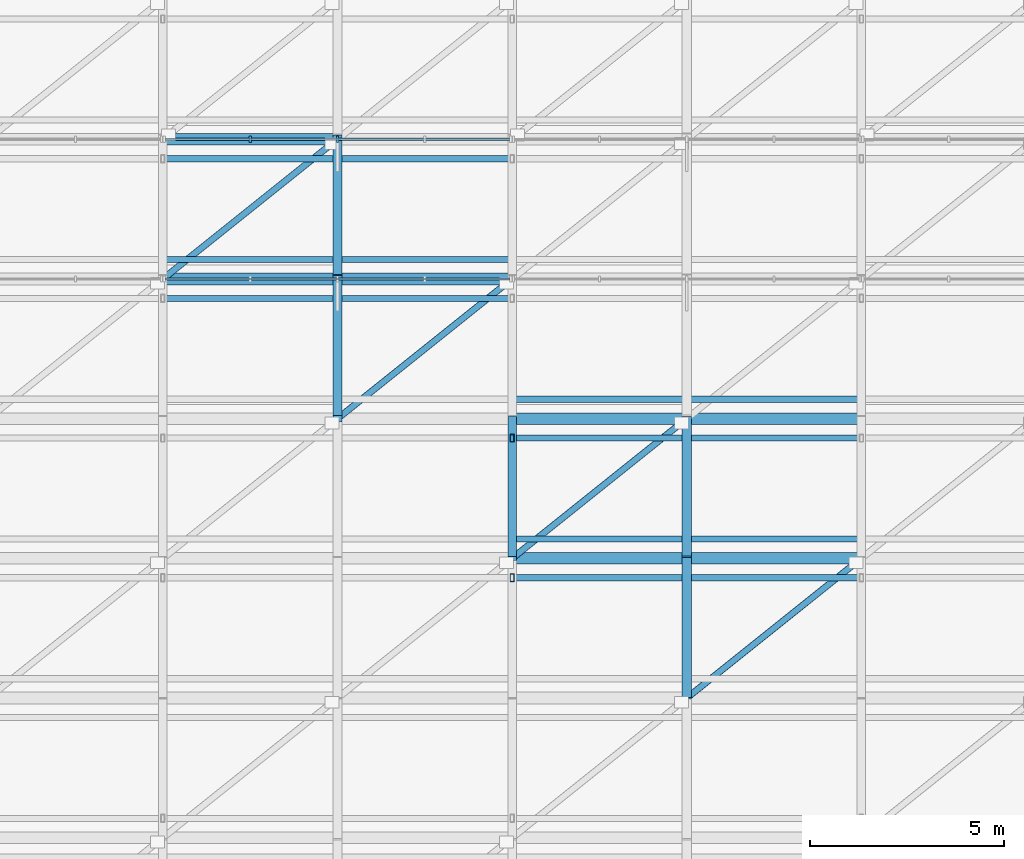
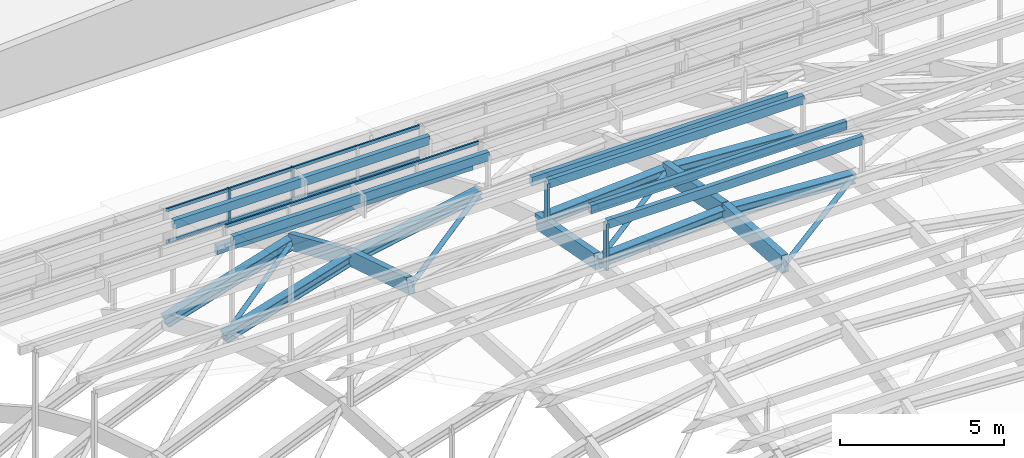
# One storey, part 29 of 69: 19 members, 12 beams, 2 elements without a shape of their own.
"""IFC4 building model written with IfcOpenShell, lengths in metres."""

from ifc_helpers import new_model, si_unit, direction, frame, origin, origin_2d, place, context, subcontext, project, spatial, rectangle, hollow_rectangle, hollow_circle, i_section, extrude, material, layer, layer_set, material_profile, profile_set, type_object, element, aggregate, save


model = new_model("IFC4")

# Units and contexts
model_context = context("Model", 3, precision=1e-05, world=origin(), true_north=direction((0.0, 1.0)))
body_context = subcontext(model_context, "Body", "Model", "MODEL_VIEW")
ifc_project = project(units=[si_unit("LENGTHUNIT", "METRE"), si_unit("AREAUNIT", "SQUARE_METRE"), si_unit("VOLUMEUNIT", "CUBIC_METRE"), si_unit("PLANEANGLEUNIT", "RADIAN"), si_unit("MASSUNIT", "GRAM", prefix="KILO")], contexts=[model_context])

# Site, building, storey
site_placement = place(None, origin())
site = spatial("IfcSite", under=ifc_project, at=site_placement, CompositionType="ELEMENT")
building_placement = place(site_placement, origin())
building = spatial("IfcBuilding", under=site, at=building_placement, Name="Montealbar Specialist Clinic", CompositionType="ELEMENT")
storey_placement = place(building_placement, frame((0.0, 0.0, 9.60009765625)))
storey = spatial("IfcBuildingStorey", under=building, at=storey_placement, Name="L02", CompositionType="ELEMENT", Elevation=9.60009765625)

# Beams
ifc_material_1 = material(Name="Steel S355", Category="steel")
ifc_material_profile_1 = material_profile(ifc_material_1, i_section(OverallWidth=0.300048828125, OverallDepth=0.360107421875, WebThickness=0.012451171875, FlangeThickness=0.0224609375, FilletRadius=0.027099609375, at=origin_2d()), Name="HEB 360", Category="steel")
ifc_profile_set_1 = profile_set([ifc_material_profile_1], Name="Steel S355")
beam_type_1 = type_object("IfcBeamType", Name="BM-GIRD-HEB360-EXT", PredefinedType="BEAM", material=ifc_profile_set_1)
for number, where, z_axis, x_axis, name in (
    (1, (72.0, 66.60009765625, 10.67578125), (0.998109468696, 0.0, 0.06146127642), (0.0, 1.0, 0.0), "Gridshell Roof Truss Arch Rib X 6-4"),
    (2, (76.5, 66.60009765625, 10.952880859375), (0.998109468696, 0.0, -0.06146127642), (0.0, 1.0, 0.0), "Gridshell Roof Truss Arch Rib X 6-5"),
    (3, (72.0, 70.199951171875, 9.995849609375), (0.998109468696, 0.0, 0.06146127642), (0.0, 1.0, 0.0), "Gridshell Roof Truss Arch Rib X 7-4"),
    (4, (76.5, 70.199951171875, 10.27294921875), (0.998109468696, 0.0, -0.06146127642), (0.0, 1.0, 0.0), "Gridshell Roof Truss Arch Rib X 7-5"),
):
    element("IfcBeam", number, at=place(storey_placement, frame(where, z_axis=z_axis, x_axis=x_axis)), inside=storey, type_object=beam_type_1, Name=name, PredefinedType="BEAM", context=body_context, shape_type="SweptSolid", body=[
        extrude(i_section(OverallWidth=0.300048828125, OverallDepth=0.360107421875, WebThickness=0.012451171875, FlangeThickness=0.0224609375, FilletRadius=0.027099609375, at=origin_2d()), origin(), (0.0, 0.0, 1.0), 4.508544921875),
    ])
beam_1_placement = place(storey_placement, frame((63.0, 73.800048828125, 6.643798828125), z_axis=(0.955697132972, 0.0, 0.294351813362), x_axis=(0.0, 1.0, 0.0)))
element("IfcBeam", 5, at=beam_1_placement, inside=storey, type_object=beam_type_1, Name="Gridshell Roof Truss Arch Rib X 8-2", PredefinedType="BEAM", context=body_context, shape_type="SweptSolid", body=[
    extrude(i_section(OverallWidth=0.300048828125, OverallDepth=0.360107421875, WebThickness=0.012451171875, FlangeThickness=0.0224609375, FilletRadius=0.027099609375, at=origin_2d()), origin(), (0.0, 0.0, 1.0), 4.70849609375),
])
beam_2_placement = place(storey_placement, frame((67.5, 73.800048828125, 8.02978515625), z_axis=(0.983332910059, 0.0, 0.181814157849), x_axis=(0.0, 1.0, 0.0)))
element("IfcBeam", 6, at=beam_2_placement, inside=storey, type_object=beam_type_1, Name="Gridshell Roof Truss Arch Rib X 8-3", PredefinedType="BEAM", context=body_context, shape_type="SweptSolid", body=[
    extrude(i_section(OverallWidth=0.300048828125, OverallDepth=0.360107421875, WebThickness=0.012451171875, FlangeThickness=0.0224609375, FilletRadius=0.027099609375, at=origin_2d()), origin(), (0.0, 0.0, 1.0), 4.576171875),
])
ifc_material_profile_2 = material_profile(ifc_material_1, i_section(OverallWidth=0.300048828125, OverallDepth=0.39990234375, WebThickness=0.013427734375, FlangeThickness=0.02392578125, FilletRadius=0.027099609375, at=origin_2d()), Name="HEB 400", Category="steel")
ifc_profile_set_2 = profile_set([ifc_material_profile_2], Name="Steel S355")
beam_type_2 = type_object("IfcBeamType", Name="BM-GIRD-HEB400-EXT", PredefinedType="BEAM", material=ifc_profile_set_2)
beam_3_placement = place(storey_placement, frame((63.0, 77.39990234375, 5.055908203125), z_axis=(0.955697132972, 0.0, 0.294351813362), x_axis=(0.0, 1.0, 0.0)))
element("IfcBeam", 7, at=beam_3_placement, inside=storey, type_object=beam_type_2, Name="Gridshell Roof Truss Arch Rib X 9-2", PredefinedType="BEAM", context=body_context, shape_type="SweptSolid", body=[
    extrude(i_section(OverallWidth=0.300048828125, OverallDepth=0.39990234375, WebThickness=0.013427734375, FlangeThickness=0.02392578125, FilletRadius=0.027099609375, at=origin_2d()), origin(), (0.0, 0.0, 1.0), 4.70849609375),
])
ifc_material_2 = material(Name="Glulam GL28h", Category="wood")
ifc_material_profile_3 = material_profile(ifc_material_2, rectangle(XDim=0.219970703125, YDim=0.56005859375, at=origin_2d()), Name="GL28h 220x560", Category="wood")
ifc_profile_set_3 = profile_set([ifc_material_profile_3], Name="Glulam GL28h")
beam_type_3 = type_object("IfcBeamType", Name="BM-GL-220x560-EXT", PredefinedType="BEAM", material=ifc_profile_set_3)
beam_4_placement = place(storey_placement, frame((67.5, 70.199951171875, 9.163818359375), z_axis=(0.0, 0.953798460342, -0.300447161826), x_axis=(-1.0, 0.0, 0.0)))
element("IfcBeam", 8, at=beam_4_placement, inside=storey, type_object=beam_type_3, Name="Gridshell Glulam Roof Truss Rib Y 3-7", PredefinedType="BEAM", context=body_context, shape_type="SweptSolid", body=[
    extrude(rectangle(XDim=0.219970703125, YDim=0.56005859375, at=origin_2d()), origin(), (0.0, 0.0, 1.0), 3.7744140625),
])
beam_5_placement = place(storey_placement, frame((67.5, 73.800048828125, 8.02978515625), z_axis=(0.0, 0.914944084874, -0.403580625841), x_axis=(-1.0, 0.0, 0.0)))
element("IfcBeam", 9, at=beam_5_placement, inside=storey, type_object=beam_type_3, Name="Gridshell Glulam Roof Truss Rib Y 3-8", PredefinedType="BEAM", context=body_context, shape_type="SweptSolid", body=[
    extrude(rectangle(XDim=0.219970703125, YDim=0.56005859375, at=origin_2d()), origin(), (0.0, 0.0, 1.0), 3.9345703125),
])
beam_6_placement = place(storey_placement, frame((72.0, 66.60009765625, 10.67578125), z_axis=(0.0, 0.982626127294, -0.185596050493), x_axis=(-1.0, 0.0, 0.0)))
element("IfcBeam", 10, at=beam_6_placement, inside=storey, type_object=beam_type_3, Name="Gridshell Glulam Roof Truss Rib Y 4-6", PredefinedType="BEAM", context=body_context, shape_type="SweptSolid", body=[
    extrude(rectangle(XDim=0.219970703125, YDim=0.56005859375, at=origin_2d()), origin(), (0.0, 0.0, 1.0), 3.66357421875),
])
ifc_material_profile_4 = material_profile(ifc_material_2, rectangle(XDim=0.239990234375, YDim=0.639892578125, at=origin_2d()), Name="GL28h 240x640", Category="wood")
ifc_profile_set_4 = profile_set([ifc_material_profile_4], Name="Glulam GL28h")
beam_type_4 = type_object("IfcBeamType", Name="BM-GL-240x640-EXT", PredefinedType="BEAM", material=ifc_profile_set_4)
beam_7_placement = place(storey_placement, frame((76.5, 63.0, 11.179931640625), z_axis=(0.0, 0.998017130092, -0.062942895089), x_axis=(-1.0, 0.0, 0.0)))
element("IfcBeam", 11, at=beam_7_placement, inside=storey, type_object=beam_type_4, Name="Gridshell Glulam Roof Truss Rib Y 5-5", PredefinedType="BEAM", context=body_context, shape_type="SweptSolid", body=[
    extrude(rectangle(XDim=0.239990234375, YDim=0.639892578125, at=origin_2d()), origin(), (0.0, 0.0, 1.0), 3.607177734375),
])
beam_8_placement = place(storey_placement, frame((76.5, 66.60009765625, 10.952880859375), z_axis=(0.0, 0.982626127294, -0.185596050493), x_axis=(-1.0, 0.0, 0.0)))
element("IfcBeam", 12, at=beam_8_placement, inside=storey, type_object=beam_type_4, Name="Gridshell Glulam Roof Truss Rib Y 5-6", PredefinedType="BEAM", context=body_context, shape_type="SweptSolid", body=[
    extrude(rectangle(XDim=0.239990234375, YDim=0.639892578125, at=origin_2d()), origin(), (0.0, 0.0, 1.0), 3.66357421875),
])

# Curtain wall, members
ifc_material_3 = material(Name="Low-E double glazing", Category="glass")
ifc_layer_1 = layer(ifc_material_3, 0.199951171875, Name="Low-E double glazing", Category="glass")
ifc_layer_set_1 = layer_set([ifc_layer_1], Name="Low-E double glazing")
curtain_wall_type_1 = type_object("IfcCurtainWallType", Name="CW-TYPE-47", PredefinedType="NOTDEFINED", material=ifc_layer_set_1)
curtain_wall_1_placement = place(storey_placement, origin())
curtain_wall_1 = element("IfcCurtainWall", 13, at=curtain_wall_1_placement, inside=storey, type_object=curtain_wall_type_1, Name="Unitised Curtain Wall CW-L02-630-774-720-774-175", PredefinedType="NOTDEFINED")
ifc_material_4 = material(Name="Anodised aluminium EN AW-6063", Category="aluminium")
ifc_material_profile_5 = material_profile(ifc_material_4, rectangle(XDim=0.06005859375, YDim=0.159912109375, at=origin_2d()), Name="ALU 60x160", Category="aluminium")
ifc_profile_set_5 = profile_set([ifc_material_profile_5], Name="Anodised aluminium EN AW-6063")
member_type_1 = type_object("IfcMemberType", Name="CW-MUL-160", PredefinedType="MULLION", material=ifc_profile_set_5)
member_1_placement = place(storey_placement, frame((65.25, 77.39990234375, 7.933837890625), z_axis=(0.0, 0.0, 1.0), x_axis=(1.0, 0.0, 0.0)))
member_1 = element("IfcMember", 14, at=member_1_placement, type_object=member_type_1, Name="Curtain Wall Mullion CW-L02-630-774-720-774-175-01", PredefinedType="MULLION", context=body_context, shape_type="SweptSolid", body=[
    extrude(rectangle(XDim=0.06005859375, YDim=0.159912109375, at=origin_2d()), origin(), (0.0, 0.0, 1.0), 1.257080078125),
])
member_2_placement = place(storey_placement, frame((67.5, 77.39990234375, 7.933837890625), z_axis=(0.0, 0.0, 1.0), x_axis=(1.0, 0.0, 0.0)))
member_2 = element("IfcMember", 15, at=member_2_placement, type_object=member_type_1, Name="Curtain Wall Mullion CW-L02-630-774-720-774-175-02", PredefinedType="MULLION", context=body_context, shape_type="SweptSolid", body=[
    extrude(rectangle(XDim=0.06005859375, YDim=0.159912109375, at=origin_2d()), origin(), (0.0, 0.0, 1.0), 1.257080078125),
])

ifc_layer_2 = layer(ifc_material_3, 0.199951171875, Name="Low-E double glazing", Category="glass")
ifc_layer_set_2 = layer_set([ifc_layer_2], Name="Low-E double glazing")
curtain_wall_type_2 = type_object("IfcCurtainWallType", Name="CW-TYPE-48", PredefinedType="NOTDEFINED", material=ifc_layer_set_2)
curtain_wall_2_placement = place(storey_placement, origin())
curtain_wall_2 = element("IfcCurtainWall", 16, at=curtain_wall_2_placement, inside=storey, type_object=curtain_wall_type_2, Name="Unitised Curtain Wall CW-L02-630-738-720-738-196", PredefinedType="NOTDEFINED")
ifc_material_5 = material(Name="Powder-coated aluminium", Category="aluminium")
ifc_material_profile_6 = material_profile(ifc_material_5, rectangle(XDim=0.06005859375, YDim=0.1201171875, at=origin_2d()), Name="ALU 60x120", Category="aluminium")
ifc_profile_set_6 = profile_set([ifc_material_profile_6], Name="Powder-coated aluminium")
member_type_2 = type_object("IfcMemberType", Name="CW-TRN-120", PredefinedType="USERDEFINED", material=ifc_profile_set_6)
member_3_placement = place(storey_placement, frame((63.050048828125, 73.800048828125, 10.014892578125), z_axis=(1.0, 0.0, 0.0), x_axis=(0.0, 1.0, 0.0)))
member_3 = element("IfcMember", 17, at=member_3_placement, type_object=member_type_2, Name="Curtain Wall Transom CW-L02-630-738-720-738-196-00", ObjectType="TRANSOM", PredefinedType="USERDEFINED", context=body_context, shape_type="SweptSolid", body=[
    extrude(rectangle(XDim=0.06005859375, YDim=0.1201171875, at=origin_2d()), origin(), (0.0, 0.0, 1.0), 8.89990234375),
])
member_4_placement = place(storey_placement, frame((63.050048828125, 73.800048828125, 10.739013671875), z_axis=(1.0, 0.0, 0.0), x_axis=(0.0, 1.0, 0.0)))
member_4 = element("IfcMember", 18, at=member_4_placement, type_object=member_type_2, Name="Curtain Wall Transom CW-L02-630-738-720-738-196-01", ObjectType="TRANSOM", PredefinedType="USERDEFINED", context=body_context, shape_type="SweptSolid", body=[
    extrude(rectangle(XDim=0.06005859375, YDim=0.1201171875, at=origin_2d()), origin(), (0.0, 0.0, 1.0), 8.89990234375),
])
aggregate(curtain_wall_2, [member_3, member_4])

# Member
member_5_placement = place(storey_placement, frame((63.050048828125, 77.39990234375, 7.973876953125), z_axis=(1.0, 0.0, 0.0), x_axis=(0.0, 1.0, 0.0)))
member_5 = element("IfcMember", 19, at=member_5_placement, type_object=member_type_2, Name="Curtain Wall Transom CW-L02-630-774-720-774-175-00", ObjectType="TRANSOM", PredefinedType="USERDEFINED", context=body_context, shape_type="SweptSolid", body=[
    extrude(rectangle(XDim=0.06005859375, YDim=0.1201171875, at=origin_2d()), origin(), (0.0, 0.0, 1.0), 8.89990234375),
])

member_6_placement = place(storey_placement, frame((63.050048828125, 77.39990234375, 9.15087890625), z_axis=(1.0, 0.0, 0.0), x_axis=(0.0, 1.0, 0.0)))
member_6 = element("IfcMember", 20, at=member_6_placement, type_object=member_type_2, Name="Curtain Wall Transom CW-L02-630-774-720-774-175-01", ObjectType="TRANSOM", PredefinedType="USERDEFINED", context=body_context, shape_type="SweptSolid", body=[
    extrude(rectangle(XDim=0.06005859375, YDim=0.1201171875, at=origin_2d()), origin(), (0.0, 0.0, 1.0), 8.89990234375),
])

aggregate(curtain_wall_1, [member_1, member_2, member_5, member_6])

# Members
ifc_material_profile_7 = material_profile(ifc_material_1, hollow_circle(Radius=0.084228515625, WallThickness=0.008056640625, at=origin_2d()), Name="CHS 168.3x8.0", Category="steel")
ifc_profile_set_7 = profile_set([ifc_material_profile_7], Name="Steel S355")
member_type_3 = type_object("IfcMemberType", Name="MB-GS-DIAG-EXT", PredefinedType="BRACE", material=ifc_profile_set_7)
member_7_placement = place(storey_placement, frame((63.0, 73.800048828125, 6.643798828125), z_axis=(0.780402367869, 0.624296490572, -0.035014798081), x_axis=(-0.624679547852, 0.780881208953, 0.0)))
element("IfcMember", 21, at=member_7_placement, inside=storey, type_object=member_type_3, Name="Gridshell Roof Brace 2-8", PredefinedType="BRACE", context=body_context, shape_type="SweptSolid", body=[
    extrude(hollow_circle(Radius=0.084228515625, WallThickness=0.008056640625, at=origin_2d()), origin(), (0.0, 0.0, 1.0), 5.766357421875),
])
member_8_placement = place(storey_placement, frame((67.5, 70.199951171875, 9.163818359375), z_axis=(0.779790524061, 0.623849341786, -0.052332946954), x_axis=(-0.624705380279, 0.780860543151, 0.0)))
element("IfcMember", 22, at=member_8_placement, inside=storey, type_object=member_type_3, Name="Gridshell Roof Brace 3-7", PredefinedType="BRACE", context=body_context, shape_type="SweptSolid", body=[
    extrude(hollow_circle(Radius=0.084228515625, WallThickness=0.008056640625, at=origin_2d()), origin(), (0.0, 0.0, 1.0), 5.770751953125),
])
member_9_placement = place(storey_placement, frame((72.0, 66.60009765625, 10.67578125), z_axis=(0.778980306537, 0.623158887798, -0.069732937597), x_axis=(-0.624679547852, 0.780881208953, 0.0)))
element("IfcMember", 23, at=member_9_placement, inside=storey, type_object=member_type_3, Name="Gridshell Roof Brace 4-6", PredefinedType="BRACE", context=body_context, shape_type="SweptSolid", body=[
    extrude(hollow_circle(Radius=0.084228515625, WallThickness=0.008056640625, at=origin_2d()), origin(), (0.0, 0.0, 1.0), 5.77685546875),
])
member_10_placement = place(storey_placement, frame((76.5, 63.0, 11.179931640625), z_axis=(0.777889550836, 0.622328521953, -0.087149626871), x_axis=(-0.624705380279, 0.780860543151, 0.0)))
element("IfcMember", 24, at=member_10_placement, inside=storey, type_object=member_type_3, Name="Gridshell Roof Brace 5-5", PredefinedType="BRACE", context=body_context, shape_type="SweptSolid", body=[
    extrude(hollow_circle(Radius=0.084228515625, WallThickness=0.008056640625, at=origin_2d()), origin(), (0.0, 0.0, 1.0), 5.784912109375),
])
ifc_material_profile_8 = material_profile(ifc_material_2, rectangle(XDim=0.159912109375, YDim=0.320068359375, at=origin_2d()), Name="GL28h 160x320", Category="wood")
ifc_profile_set_8 = profile_set([ifc_material_profile_8], Name="Glulam GL28h")
member_type_4 = type_object("IfcMemberType", Name="MB-GS-PURLIN-GL-EXT", PredefinedType="PURLIN", material=ifc_profile_set_8)
for number, where, z_axis, x_axis, name in (
    (25, (72.0, 66.10009765625, 12.367919921875), (1.0, 0.0, 0.0), (0.0, 1.0, 0.0), "Gridshell Glulam Purlin 6-3-2"),
    (26, (72.0, 67.10009765625, 12.31201171875), (1.0, 0.0, 0.0), (0.0, 1.0, 0.0), "Gridshell Glulam Purlin 7-3-1"),
    (27, (72.0, 69.699951171875, 11.68798828125), (1.0, 0.0, 0.0), (0.0, 1.0, 0.0), "Gridshell Glulam Purlin 7-3-2"),
    (28, (63.0, 73.300048828125, 10.553955078125), (1.0, 0.0, 0.0), (0.0, 1.0, 0.0), "Gridshell Glulam Purlin 8-2-2"),
    (29, (72.0, 70.699951171875, 11.177978515625), (1.0, 0.0, 0.0), (0.0, 1.0, 0.0), "Gridshell Glulam Purlin 8-3-1"),
    (30, (63.0, 74.300048828125, 9.58984375), (1.0, 0.0, 0.0), (0.0, 1.0, 0.0), "Gridshell Glulam Purlin 9-2-1"),
    (31, (63.0, 76.89990234375, 8.9658203125), (1.0, 0.0, 0.0), (0.0, 1.0, 0.0), "Gridshell Glulam Purlin 9-2-2"),
):
    element("IfcMember", number, at=place(storey_placement, frame(where, z_axis=z_axis, x_axis=x_axis)), inside=storey, type_object=member_type_4, Name=name, PredefinedType="PURLIN", context=body_context, shape_type="SweptSolid", body=[
        extrude(rectangle(XDim=0.159912109375, YDim=0.320068359375, at=origin_2d()), origin(), (0.0, 0.0, 1.0), 9.0),
    ])
ifc_material_profile_9 = material_profile(ifc_material_1, hollow_rectangle(XDim=0.10009765625, YDim=0.199951171875, WallThickness=0.008056640625, at=origin_2d()), Name="RHS 200x100x8", Category="steel")
ifc_profile_set_9 = profile_set([ifc_material_profile_9], Name="Steel S355")
member_type_5 = type_object("IfcMemberType", Name="MB-GS-PURLIN-ST-EXT", PredefinedType="PURLIN", material=ifc_profile_set_9)
for number, where, z_axis, x_axis, name in (
    (32, (72.0, 66.10009765625, 10.67578125), (0.0, 0.0, 1.0), (1.0, 0.0, 0.0), "Gridshell Monitor Post 6-4"),
    (33, (72.0, 69.699951171875, 9.995849609375), (0.0, 0.0, 1.0), (1.0, 0.0, 0.0), "Gridshell Monitor Post 7-4"),
):
    element("IfcMember", number, at=place(storey_placement, frame(where, z_axis=z_axis, x_axis=x_axis)), inside=storey, type_object=member_type_5, Name=name, PredefinedType="PURLIN", context=body_context, shape_type="SweptSolid", body=[
        extrude(hollow_rectangle(XDim=0.10009765625, YDim=0.199951171875, WallThickness=0.008056640625, at=origin_2d()), origin(), (0.0, 0.0, 1.0), 1.734130859375),
    ])

save(model, "model.ifc")
